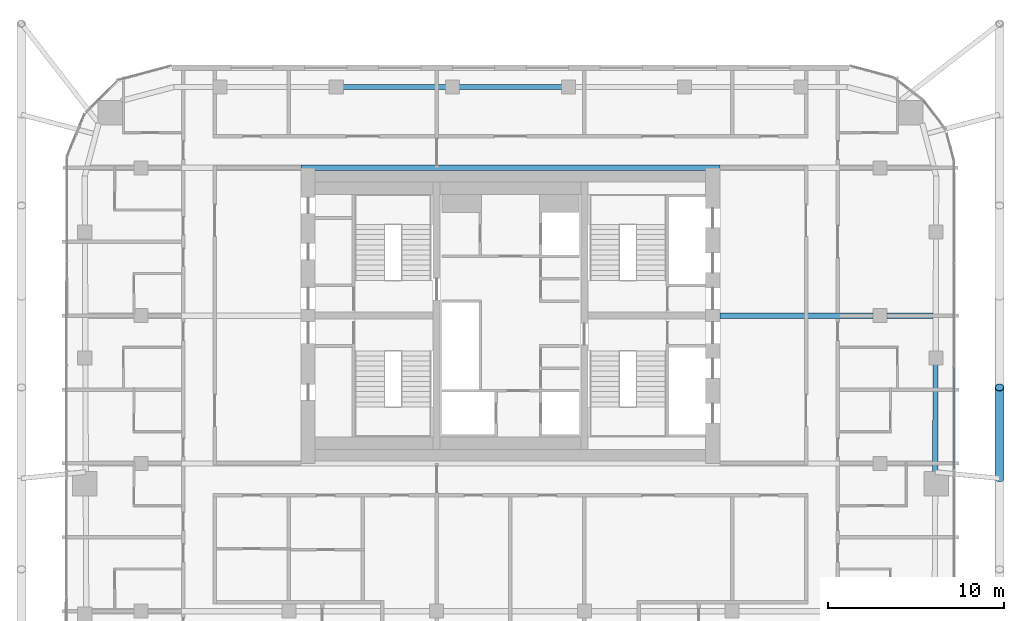
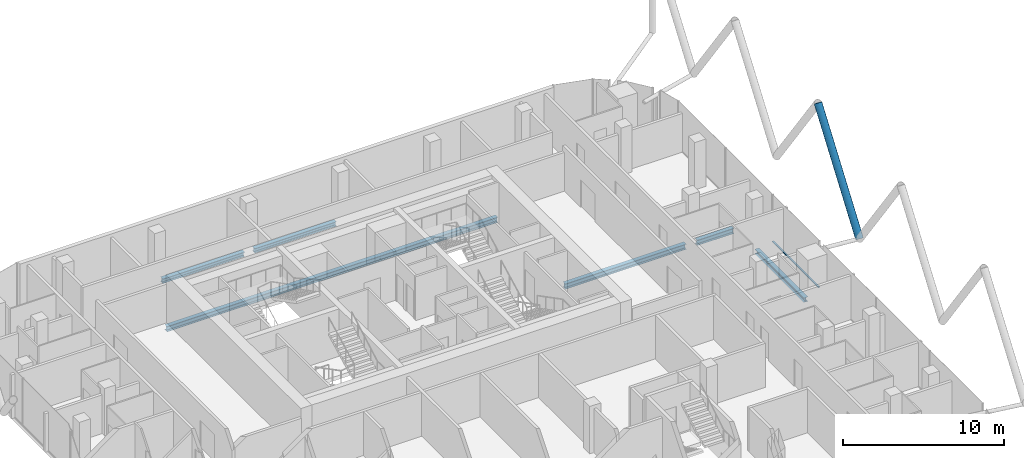
# One storey, part 9 of 31: 6 beams, 2 members, 1 element without a shape of its own.
"""IFC4 building model written with IfcOpenShell, lengths in metres."""

from ifc_helpers import new_model, si_unit, direction, frame, origin, origin_2d, place, context, subcontext, project, spatial, rectangle, hollow_circle, i_section, extrude, material, layer, layer_set, material_profile, profile_set, type_object, element, aggregate, save


model = new_model("IFC4")

# Units and contexts
model_context = context("Model", 3, precision=1e-05, world=origin(), true_north=direction((0.0, 1.0)))
body_context = subcontext(model_context, "Body", "Model", "MODEL_VIEW")
ifc_project = project(units=[si_unit("LENGTHUNIT", "METRE"), si_unit("AREAUNIT", "SQUARE_METRE"), si_unit("VOLUMEUNIT", "CUBIC_METRE"), si_unit("PLANEANGLEUNIT", "RADIAN"), si_unit("MASSUNIT", "GRAM", prefix="KILO")], contexts=[model_context])

# Site, building, storey
site_placement = place(None, origin())
site = spatial("IfcSite", under=ifc_project, at=site_placement, CompositionType="ELEMENT")
building_placement = place(site_placement, origin())
building = spatial("IfcBuilding", under=site, at=building_placement, Name="Marenta Gate Hotel Tower", CompositionType="ELEMENT")
storey_placement = place(building_placement, frame((0.0, 0.0, 191.300048828125)))
storey = spatial("IfcBuildingStorey", under=building, at=storey_placement, Name="L43", CompositionType="ELEMENT", Elevation=191.300048828125)

# Member
ifc_material_1 = material(Name="Steel S355J2W", Category="steel")
ifc_material_profile_1 = material_profile(ifc_material_1, hollow_circle(Radius=0.25390625, WallThickness=0.02490234375, at=origin_2d()), Name="CHS 508x25")
ifc_profile_set_1 = profile_set([ifc_material_profile_1], Name="Steel S355J2W")
member_type_1 = type_object("IfcMemberType", Name="Diagrid diagonal Z3 CHS 508x25", PredefinedType="BRACE", material=ifc_profile_set_1)
member_1_placement = place(storey_placement, frame((27.800048828125, -0.85009765625, 3.139892578125), z_axis=(0.0, 0.583260841117, 0.812284919975), x_axis=(-1.0, 0.0, 0.0)))
element("IfcMember", 1, at=member_1_placement, inside=storey, type_object=member_type_1, Name="L43-DG-5", PredefinedType="BRACE", context=body_context, shape_type="SweptSolid", body=[
    extrude(hollow_circle(Radius=0.25390625, WallThickness=0.02490234375, at=origin_2d()), origin(), (0.0, 0.0, 1.0), 8.86376953125),
])

# Beams
ifc_material_2 = material(Name="Steel S355", Category="steel")
ifc_material_profile_2 = material_profile(ifc_material_2, i_section(OverallWidth=0.300048828125, OverallDepth=0.340087890625, WebThickness=0.011962890625, FlangeThickness=0.021484375, FilletRadius=0.027099609375, at=origin_2d()), Name="HEB 340")
ifc_profile_set_2 = profile_set([ifc_material_profile_2], Name="Steel S355")
beam_type_1 = type_object("IfcBeamType", Name="Edge beam HEB 340", PredefinedType="SPANDREL", material=ifc_profile_set_2)
for number, where, z_axis, x_axis, name in (
    (2, (-9.544189453125, 21.39990234375, -0.429931640625), (1.0, 0.0, 0.0), (0.0, 1.0, 0.0), "L43-EB-15"),
    (3, (-2.94140625, 21.39990234375, -0.429931640625), (1.0, 0.0, 0.0), (0.0, 1.0, 0.0), "L43-EB-16"),
):
    element("IfcBeam", number, at=place(storey_placement, frame(where, z_axis=z_axis, x_axis=x_axis)), inside=storey, type_object=beam_type_1, Name=name, PredefinedType="SPANDREL", context=body_context, shape_type="SweptSolid", body=[
        extrude(i_section(OverallWidth=0.300048828125, OverallDepth=0.340087890625, WebThickness=0.011962890625, FlangeThickness=0.021484375, FilletRadius=0.027099609375, at=origin_2d()), origin(), (0.0, 0.0, 1.0), 5.8828125),
    ])
beam_1_placement = place(storey_placement, frame((24.164306640625, 5.643310546875, -0.429931640625), z_axis=(-0.003303859048, -0.999994542243, 0.0), x_axis=(0.999994542243, -0.003303859048, 0.0)))
element("IfcBeam", 4, at=beam_1_placement, inside=storey, type_object=beam_type_1, Name="L43-EB-24", PredefinedType="SPANDREL", context=body_context, shape_type="SweptSolid", body=[
    extrude(i_section(OverallWidth=0.300048828125, OverallDepth=0.340087890625, WebThickness=0.011962890625, FlangeThickness=0.021484375, FilletRadius=0.027099609375, at=origin_2d()), origin(), (0.0, 0.0, 1.0), 6.13330078125),
])
ifc_material_3 = material(Name="Steel S355", Category="steel")
ifc_material_profile_3 = material_profile(ifc_material_3, i_section(OverallWidth=0.300048828125, OverallDepth=0.39990234375, WebThickness=0.013427734375, FlangeThickness=0.02392578125, FilletRadius=0.027099609375, at=origin_2d()), Name="HEB 400")
ifc_profile_set_3 = profile_set([ifc_material_profile_3], Name="Steel S355")
beam_type_2 = type_object("IfcBeamType", Name="Girder HEB 400", PredefinedType="BEAM", material=ifc_profile_set_3)
beam_2_placement = place(storey_placement, frame((11.89990234375, 8.39990234375, -0.4599609375), z_axis=(1.0, 0.0, 0.0), x_axis=(0.0, 1.0, 0.0)))
element("IfcBeam", 5, at=beam_2_placement, inside=storey, type_object=beam_type_2, Name="L43-GD-27", PredefinedType="BEAM", context=body_context, shape_type="SweptSolid", body=[
    extrude(i_section(OverallWidth=0.300048828125, OverallDepth=0.39990234375, WebThickness=0.013427734375, FlangeThickness=0.02392578125, FilletRadius=0.027099609375, at=origin_2d()), origin(), (0.0, 0.0, 1.0), 8.7001953125),
])
beam_3_placement = place(storey_placement, frame((21.39990234375, 8.39990234375, -0.4599609375), z_axis=(1.0, 0.0, 0.0), x_axis=(0.0, 1.0, 0.0)))
element("IfcBeam", 6, at=beam_3_placement, inside=storey, type_object=beam_type_2, Name="L43-GD-28", PredefinedType="BEAM", context=body_context, shape_type="SweptSolid", body=[
    extrude(i_section(OverallWidth=0.300048828125, OverallDepth=0.39990234375, WebThickness=0.013427734375, FlangeThickness=0.02392578125, FilletRadius=0.027099609375, at=origin_2d()), origin(), (0.0, 0.0, 1.0), 2.623779296875),
])
beam_4_placement = place(storey_placement, frame((-11.89990234375, 16.800048828125, -0.4599609375), z_axis=(1.0, 0.0, 0.0), x_axis=(0.0, 1.0, 0.0)))
element("IfcBeam", 7, at=beam_4_placement, inside=storey, type_object=beam_type_2, Name="L43-GD-31", PredefinedType="BEAM", context=body_context, shape_type="SweptSolid", body=[
    extrude(i_section(OverallWidth=0.300048828125, OverallDepth=0.39990234375, WebThickness=0.013427734375, FlangeThickness=0.02392578125, FilletRadius=0.027099609375, at=origin_2d()), origin(), (0.0, 0.0, 1.0), 23.7998046875),
])

# Curtain wall, member
ifc_material_4 = material(Name="Tinted insulated glass in bronze anodised frame", Category="glass")
ifc_layer = layer(ifc_material_4, 0.1201171875)
ifc_layer_set = layer_set([ifc_layer], Name="Tinted insulated glass in bronze anodised frame")
curtain_wall_type = type_object("IfcCurtainWallType", Name="Tower unitised curtain wall CW1", PredefinedType="NOTDEFINED", material=ifc_layer_set)
curtain_wall_placement = place(storey_placement, origin())
curtain_wall = element("IfcCurtainWall", 8, at=curtain_wall_placement, inside=storey, type_object=curtain_wall_type, Name="CW1 run G34", PredefinedType="NOTDEFINED")
ifc_material_5 = material(Name="Bronze anodised aluminium", Category="aluminium")
ifc_material_profile_4 = material_profile(ifc_material_5, rectangle(XDim=0.1201171875, YDim=0.06005859375, at=origin_2d()), Name="Transom CW1 60x120 bronze anodised aluminium")
ifc_profile_set_4 = profile_set([ifc_material_profile_4], Name="Bronze anodised aluminium")
member_type_2 = type_object("IfcMemberType", Name="Transom CW1 60x120 bronze anodised aluminium", PredefinedType="USERDEFINED", material=ifc_profile_set_4)
member_2_placement = place(storey_placement, frame((25.214111328125, -0.307861328125, 0.030029296875), z_axis=(0.0, 1.0, 0.0), x_axis=(-1.0, 0.0, 0.0)))
member_2 = element("IfcMember", 9, at=member_2_placement, type_object=member_type_2, Name="CW1 transom 1.1", ObjectType="TRANSOM", PredefinedType="USERDEFINED", context=body_context, shape_type="SweptSolid", body=[
    extrude(rectangle(XDim=0.1201171875, YDim=0.06005859375, at=origin_2d()), origin(), (0.0, 0.0, 1.0), 5.76318359375),
])
aggregate(curtain_wall, [member_2])

save(model, "model.ifc")
